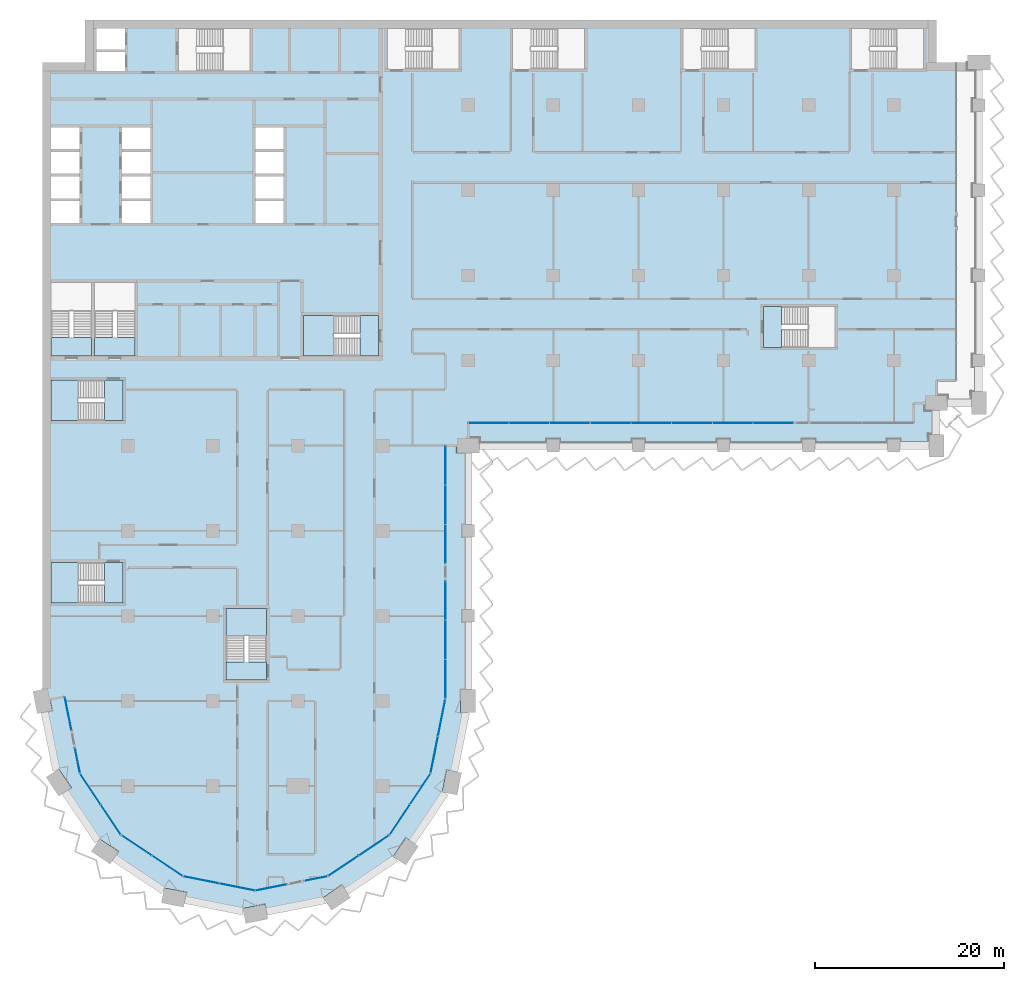
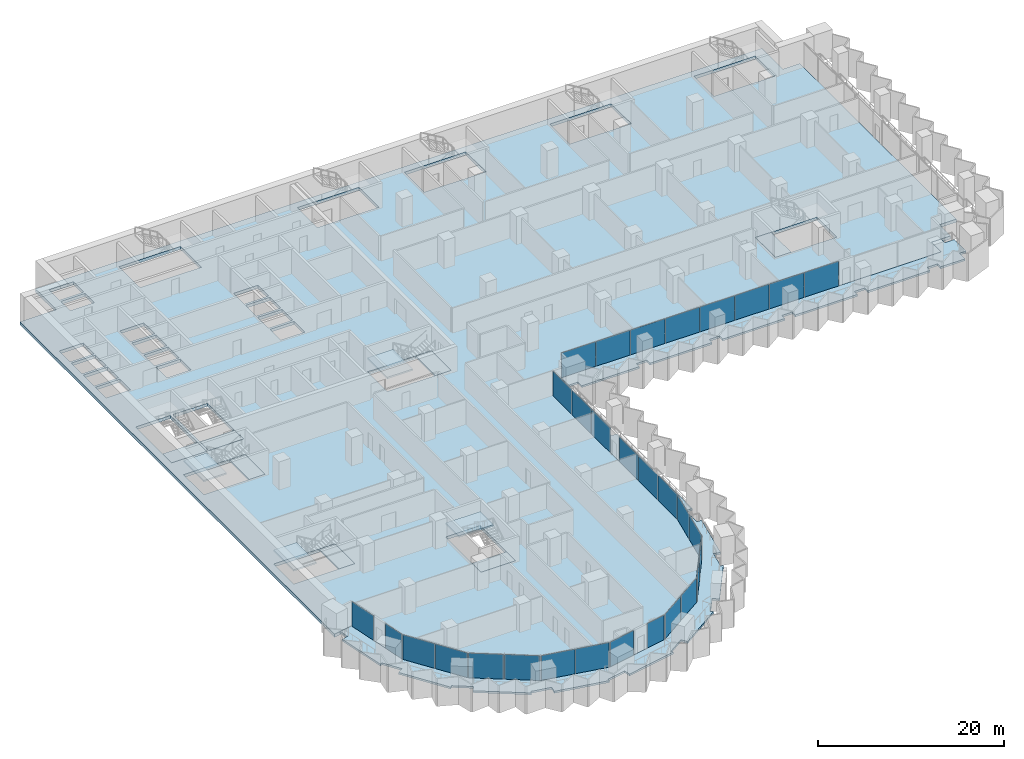
# One storey, part 8 of 28: 30 plates, 14 slabs, 17 elements without a shape of their own.
"""IFC4 building model written with IfcOpenShell, lengths in metres."""

from ifc_helpers import new_model, si_unit, direction, frame, origin, origin_2d, place, context, subcontext, project, spatial, polyline, rectangle, outline, extrude, material, layer, layer_set, type_object, element, aggregate, save


model = new_model("IFC4")

# Units and contexts
model_context = context("Model", 3, precision=1e-05, world=origin(), true_north=direction((0.0, 1.0)))
body_context = subcontext(model_context, "Body", "Model", "MODEL_VIEW")
ifc_project = project(units=[si_unit("LENGTHUNIT", "METRE"), si_unit("AREAUNIT", "SQUARE_METRE"), si_unit("VOLUMEUNIT", "CUBIC_METRE"), si_unit("PLANEANGLEUNIT", "RADIAN"), si_unit("MASSUNIT", "GRAM", prefix="KILO")], contexts=[model_context])

# Site, building, storey
site_placement = place(None, origin())
site = spatial("IfcSite", under=ifc_project, at=site_placement, CompositionType="ELEMENT")
building_placement = place(site_placement, origin())
building = spatial("IfcBuilding", under=site, at=building_placement, Name="Hunhe Ridgeline Campus", CompositionType="ELEMENT")
storey_placement = place(building_placement, frame((0.0, 0.0, 61.699951171875)))
storey = spatial("IfcBuildingStorey", under=building, at=storey_placement, Name="L14", CompositionType="ELEMENT", Elevation=61.699951171875)

# Curtain wall, plate
ifc_material_1 = material(Name="Aluminium 6063", Category="aluminium")
curtain_wall_type_1 = type_object("IfcCurtainWallType", Name="Curtain wall CW-5", PredefinedType="NOTDEFINED", material=ifc_material_1)
curtain_wall_1_placement = place(storey_placement, origin())
curtain_wall_1 = element("IfcCurtainWall", 1, at=curtain_wall_1_placement, inside=storey, type_object=curtain_wall_type_1, Name="Curtain wall 01", PredefinedType="NOTDEFINED")
ifc_material_2 = material(Name="Low-e laminated glass", Category="glass")
ifc_layer_1 = layer(ifc_material_2, 0.028076171875)
ifc_layer_set_1 = layer_set([ifc_layer_1], Name="Curtain wall glass panel 28 low-e laminated")
plate_type = type_object("IfcPlateType", Name="Curtain wall glass panel 28 low-e laminated", PredefinedType="CURTAIN_PANEL", material=ifc_layer_set_1)
plate_1_placement = place(storey_placement, frame((2.7158203125, 25.65380859375, 0.0), z_axis=(0.0, 0.0, 1.0), x_axis=(0.195095326561, -0.980784284924, 0.0)))
plate_1 = element("IfcPlate", 2, at=plate_1_placement, type_object=plate_type, Name="CW-5 panel 1", PredefinedType="CURTAIN_PANEL", context=body_context, shape_type="SweptSolid", body=[
    extrude(rectangle(XDim=3.560791015625, YDim=0.028076171875, at=origin_2d()), origin(), (0.0, 0.0, 1.0), 3.22998046875),
])
aggregate(curtain_wall_1, [plate_1])

curtain_wall_2_placement = place(storey_placement, origin())
curtain_wall_2 = element("IfcCurtainWall", 3, at=curtain_wall_2_placement, inside=storey, type_object=curtain_wall_type_1, Name="Curtain wall 02", PredefinedType="NOTDEFINED")
plate_2_placement = place(storey_placement, frame((3.701171875, 20.699951171875, 0.0), z_axis=(0.0, 0.0, 1.0), x_axis=(0.195095265587, -0.980784297053, 0.0)))
plate_2 = element("IfcPlate", 4, at=plate_2_placement, type_object=plate_type, Name="CW-5 panel 1", PredefinedType="CURTAIN_PANEL", context=body_context, shape_type="SweptSolid", body=[
    extrude(rectangle(XDim=2.660888671875, YDim=0.028076171875, at=origin_2d()), origin(), (0.0, 0.0, 1.0), 3.22998046875),
])
aggregate(curtain_wall_2, [plate_2])

# Curtain wall, plates
curtain_wall_3_placement = place(storey_placement, origin())
curtain_wall_3 = element("IfcCurtainWall", 5, at=curtain_wall_3_placement, inside=storey, type_object=curtain_wall_type_1, Name="Curtain wall 03", PredefinedType="NOTDEFINED")
plate_3_placement = place(storey_placement, frame((5.07080078125, 17.685546875, 0.0), z_axis=(0.0, 0.0, 1.0), x_axis=(0.555570274596, -0.831469584522, 0.0)))
plate_3 = element("IfcPlate", 6, at=plate_3_placement, type_object=plate_type, Name="CW-5 panel 1", PredefinedType="CURTAIN_PANEL", context=body_context, shape_type="SweptSolid", body=[
    extrude(rectangle(XDim=3.806884765625, YDim=0.028076171875, at=origin_2d()), origin(), (0.0, 0.0, 1.0), 3.22998046875),
])
plate_4_placement = place(storey_placement, frame((7.224609375, 14.4619140625, 0.0), z_axis=(0.0, 0.0, 1.0), x_axis=(0.555570274596, -0.831469584522, 0.0)))
plate_4 = element("IfcPlate", 7, at=plate_4_placement, type_object=plate_type, Name="CW-5 panel 2", PredefinedType="CURTAIN_PANEL", context=body_context, shape_type="SweptSolid", body=[
    extrude(rectangle(XDim=3.806884765625, YDim=0.028076171875, at=origin_2d()), origin(), (0.0, 0.0, 1.0), 3.22998046875),
])
aggregate(curtain_wall_3, [plate_3, plate_4])

curtain_wall_4_placement = place(storey_placement, origin())
curtain_wall_4 = element("IfcCurtainWall", 8, at=curtain_wall_4_placement, inside=storey, type_object=curtain_wall_type_1, Name="Curtain wall 04", PredefinedType="NOTDEFINED")
plate_5_placement = place(storey_placement, frame((9.9619140625, 11.724609375, 0.0), z_axis=(0.0, 0.0, 1.0), x_axis=(0.831469584522, -0.555570274596, 0.0)))
plate_5 = element("IfcPlate", 9, at=plate_5_placement, type_object=plate_type, Name="CW-5 panel 1", PredefinedType="CURTAIN_PANEL", context=body_context, shape_type="SweptSolid", body=[
    extrude(rectangle(XDim=3.806884765625, YDim=0.028076171875, at=origin_2d()), origin(), (0.0, 0.0, 1.0), 3.22998046875),
])
plate_6_placement = place(storey_placement, frame((13.185546875, 9.57080078125, 0.0), z_axis=(0.0, 0.0, 1.0), x_axis=(0.831469584522, -0.555570274596, 0.0)))
plate_6 = element("IfcPlate", 10, at=plate_6_placement, type_object=plate_type, Name="CW-5 panel 2", PredefinedType="CURTAIN_PANEL", context=body_context, shape_type="SweptSolid", body=[
    extrude(rectangle(XDim=3.806884765625, YDim=0.028076171875, at=origin_2d()), origin(), (0.0, 0.0, 1.0), 3.22998046875),
])
aggregate(curtain_wall_4, [plate_5, plate_6])

curtain_wall_5_placement = place(storey_placement, origin())
curtain_wall_5 = element("IfcCurtainWall", 11, at=curtain_wall_5_placement, inside=storey, type_object=curtain_wall_type_1, Name="Curtain wall 05", PredefinedType="NOTDEFINED")
plate_7_placement = place(storey_placement, frame((16.761962890625, 8.08935546875, 0.0), z_axis=(0.0, 0.0, 1.0), x_axis=(0.980785275326, -0.195090347539, 0.0)))
plate_7 = element("IfcPlate", 12, at=plate_7_placement, type_object=plate_type, Name="CW-5 panel 1", PredefinedType="CURTAIN_PANEL", context=body_context, shape_type="SweptSolid", body=[
    extrude(rectangle(XDim=3.806884765625, YDim=0.028076171875, at=origin_2d()), origin(), (0.0, 0.0, 1.0), 3.22998046875),
])
plate_8_placement = place(storey_placement, frame((20.564453125, 7.3330078125, 0.0), z_axis=(0.0, 0.0, 1.0), x_axis=(0.980785275326, -0.195090347539, 0.0)))
plate_8 = element("IfcPlate", 13, at=plate_8_placement, type_object=plate_type, Name="CW-5 panel 2", PredefinedType="CURTAIN_PANEL", context=body_context, shape_type="SweptSolid", body=[
    extrude(rectangle(XDim=3.806884765625, YDim=0.028076171875, at=origin_2d()), origin(), (0.0, 0.0, 1.0), 3.22998046875),
])
aggregate(curtain_wall_5, [plate_7, plate_8])

# Curtain wall, plate
curtain_wall_6_placement = place(storey_placement, origin())
curtain_wall_6 = element("IfcCurtainWall", 14, at=curtain_wall_6_placement, inside=storey, type_object=curtain_wall_type_1, Name="Curtain wall 06", PredefinedType="NOTDEFINED")
plate_9_placement = place(storey_placement, frame((24.19775390625, 7.28564453125, 0.0), z_axis=(0.0, 0.0, 1.0), x_axis=(0.980785270791, 0.19509037034, 0.0)))
plate_9 = element("IfcPlate", 15, at=plate_9_placement, type_object=plate_type, Name="CW-5 panel 1", PredefinedType="CURTAIN_PANEL", context=body_context, shape_type="SweptSolid", body=[
    extrude(rectangle(XDim=3.322021484375, YDim=0.028076171875, at=origin_2d()), origin(), (0.0, 0.0, 1.0), 3.22998046875),
])
aggregate(curtain_wall_6, [plate_9])

curtain_wall_7_placement = place(storey_placement, origin())
curtain_wall_7 = element("IfcCurtainWall", 16, at=curtain_wall_7_placement, inside=storey, type_object=curtain_wall_type_1, Name="Curtain wall 07", PredefinedType="NOTDEFINED")
plate_10_placement = place(storey_placement, frame((28.917236328125, 8.224609375, 0.0), z_axis=(0.0, 0.0, 1.0), x_axis=(0.980785242091, 0.195090514627, 0.0)))
plate_10 = element("IfcPlate", 17, at=plate_10_placement, type_object=plate_type, Name="CW-5 panel 1", PredefinedType="CURTAIN_PANEL", context=body_context, shape_type="SweptSolid", body=[
    extrude(rectangle(XDim=2.421875, YDim=0.028076171875, at=origin_2d()), origin(), (0.0, 0.0, 1.0), 3.22998046875),
])
aggregate(curtain_wall_7, [plate_10])

# Curtain wall, plates
curtain_wall_8_placement = place(storey_placement, origin())
curtain_wall_8 = element("IfcCurtainWall", 18, at=curtain_wall_8_placement, inside=storey, type_object=curtain_wall_type_1, Name="Curtain wall 08", PredefinedType="NOTDEFINED")
plate_11_placement = place(storey_placement, frame((31.814453125, 9.57080078125, 0.0), z_axis=(0.0, 0.0, 1.0), x_axis=(0.831469584522, 0.555570274596, 0.0)))
plate_11 = element("IfcPlate", 19, at=plate_11_placement, type_object=plate_type, Name="CW-5 panel 1", PredefinedType="CURTAIN_PANEL", context=body_context, shape_type="SweptSolid", body=[
    extrude(rectangle(XDim=3.806884765625, YDim=0.028076171875, at=origin_2d()), origin(), (0.0, 0.0, 1.0), 3.22998046875),
])
plate_12_placement = place(storey_placement, frame((35.0380859375, 11.724609375, 0.0), z_axis=(0.0, 0.0, 1.0), x_axis=(0.831469584522, 0.555570274596, 0.0)))
plate_12 = element("IfcPlate", 20, at=plate_12_placement, type_object=plate_type, Name="CW-5 panel 2", PredefinedType="CURTAIN_PANEL", context=body_context, shape_type="SweptSolid", body=[
    extrude(rectangle(XDim=3.806884765625, YDim=0.028076171875, at=origin_2d()), origin(), (0.0, 0.0, 1.0), 3.22998046875),
])
aggregate(curtain_wall_8, [plate_11, plate_12])

curtain_wall_9_placement = place(storey_placement, origin())
curtain_wall_9 = element("IfcCurtainWall", 21, at=curtain_wall_9_placement, inside=storey, type_object=curtain_wall_type_1, Name="Curtain wall 09", PredefinedType="NOTDEFINED")
plate_13_placement = place(storey_placement, frame((37.775390625, 14.4619140625, 0.0), z_axis=(0.0, 0.0, 1.0), x_axis=(0.555570274596, 0.831469584522, 0.0)))
plate_13 = element("IfcPlate", 22, at=plate_13_placement, type_object=plate_type, Name="CW-5 panel 1", PredefinedType="CURTAIN_PANEL", context=body_context, shape_type="SweptSolid", body=[
    extrude(rectangle(XDim=3.806884765625, YDim=0.028076171875, at=origin_2d()), origin(), (0.0, 0.0, 1.0), 3.22998046875),
])
plate_14_placement = place(storey_placement, frame((39.92919921875, 17.685546875, 0.0), z_axis=(0.0, 0.0, 1.0), x_axis=(0.555570274596, 0.831469584522, 0.0)))
plate_14 = element("IfcPlate", 23, at=plate_14_placement, type_object=plate_type, Name="CW-5 panel 2", PredefinedType="CURTAIN_PANEL", context=body_context, shape_type="SweptSolid", body=[
    extrude(rectangle(XDim=3.806884765625, YDim=0.028076171875, at=origin_2d()), origin(), (0.0, 0.0, 1.0), 3.22998046875),
])
aggregate(curtain_wall_9, [plate_13, plate_14])

curtain_wall_10_placement = place(storey_placement, origin())
curtain_wall_10 = element("IfcCurtainWall", 24, at=curtain_wall_10_placement, inside=storey, type_object=curtain_wall_type_1, Name="Curtain wall 10", PredefinedType="NOTDEFINED")
plate_15_placement = place(storey_placement, frame((41.42236328125, 21.321044921875, 0.0), z_axis=(0.0, 0.0, 1.0), x_axis=(0.195090299215, 0.980785284939, 0.0)))
plate_15 = element("IfcPlate", 25, at=plate_15_placement, type_object=plate_type, Name="CW-5 panel 1", PredefinedType="CURTAIN_PANEL", context=body_context, shape_type="SweptSolid", body=[
    extrude(rectangle(XDim=3.927490234375, YDim=0.028076171875, at=origin_2d()), origin(), (0.0, 0.0, 1.0), 3.22998046875),
])
plate_16_placement = place(storey_placement, frame((42.2021484375, 25.24169921875, 0.0), z_axis=(0.0, 0.0, 1.0), x_axis=(0.195090299215, 0.980785284939, 0.0)))
plate_16 = element("IfcPlate", 26, at=plate_16_placement, type_object=plate_type, Name="CW-5 panel 2", PredefinedType="CURTAIN_PANEL", context=body_context, shape_type="SweptSolid", body=[
    extrude(rectangle(XDim=3.927490234375, YDim=0.028076171875, at=origin_2d()), origin(), (0.0, 0.0, 1.0), 3.22998046875),
])
aggregate(curtain_wall_10, [plate_15, plate_16])

curtain_wall_type_2 = type_object("IfcCurtainWallType", Name="Curtain wall CW-1", PredefinedType="NOTDEFINED", material=ifc_material_1)
curtain_wall_11_placement = place(storey_placement, origin())
curtain_wall_11 = element("IfcCurtainWall", 27, at=curtain_wall_11_placement, inside=storey, type_object=curtain_wall_type_2, Name="Curtain wall 11", PredefinedType="NOTDEFINED")
plate_17_placement = place(storey_placement, frame((42.59912109375, 29.331787109375, 0.0), z_axis=(0.0, 0.0, 1.0), x_axis=(1.60239e-07, 1.0, 0.0)))
plate_17 = element("IfcPlate", 28, at=plate_17_placement, type_object=plate_type, Name="CW-1 panel 1", PredefinedType="CURTAIN_PANEL", context=body_context, shape_type="SweptSolid", body=[
    extrude(rectangle(XDim=4.070556640625, YDim=0.028076171875, at=origin_2d()), origin(), (0.0, 0.0, 1.0), 3.239990234375),
])
plate_18_placement = place(storey_placement, frame((42.59912109375, 33.477294921875, 0.0), z_axis=(0.0, 0.0, 1.0), x_axis=(1.60239e-07, 1.0, 0.0)))
plate_18 = element("IfcPlate", 29, at=plate_18_placement, type_object=plate_type, Name="CW-1 panel 2", PredefinedType="CURTAIN_PANEL", context=body_context, shape_type="SweptSolid", body=[
    extrude(rectangle(XDim=4.1005859375, YDim=0.028076171875, at=origin_2d()), origin(), (0.0, 0.0, 1.0), 3.239990234375),
])
plate_19_placement = place(storey_placement, frame((42.59912109375, 37.623046875, 0.0), z_axis=(0.0, 0.0, 1.0), x_axis=(1.60239e-07, 1.0, 0.0)))
plate_19 = element("IfcPlate", 30, at=plate_19_placement, type_object=plate_type, Name="CW-1 panel 3", PredefinedType="CURTAIN_PANEL", context=body_context, shape_type="SweptSolid", body=[
    extrude(rectangle(XDim=4.070556640625, YDim=0.028076171875, at=origin_2d()), origin(), (0.0, 0.0, 1.0), 3.239990234375),
])
aggregate(curtain_wall_11, [plate_17, plate_18, plate_19])

curtain_wall_12_placement = place(storey_placement, origin())
curtain_wall_12 = element("IfcCurtainWall", 31, at=curtain_wall_12_placement, inside=storey, type_object=curtain_wall_type_2, Name="Curtain wall 12", PredefinedType="NOTDEFINED")
plate_20_placement = place(storey_placement, frame((42.59912109375, 43.613525390625, 0.0), z_axis=(0.0, 0.0, 1.0), x_axis=(1.60239e-07, 1.0, 0.0)))
plate_20 = element("IfcPlate", 32, at=plate_20_placement, type_object=plate_type, Name="CW-1 panel 1", PredefinedType="CURTAIN_PANEL", context=body_context, shape_type="SweptSolid", body=[
    extrude(rectangle(XDim=4.070556640625, YDim=0.028076171875, at=origin_2d()), origin(), (0.0, 0.0, 1.0), 3.239990234375),
])
plate_21_placement = place(storey_placement, frame((42.59912109375, 47.75927734375, 0.0), z_axis=(0.0, 0.0, 1.0), x_axis=(1.60239e-07, 1.0, 0.0)))
plate_21 = element("IfcPlate", 33, at=plate_21_placement, type_object=plate_type, Name="CW-1 panel 2", PredefinedType="CURTAIN_PANEL", context=body_context, shape_type="SweptSolid", body=[
    extrude(rectangle(XDim=4.1005859375, YDim=0.028076171875, at=origin_2d()), origin(), (0.0, 0.0, 1.0), 3.239990234375),
])
plate_22_placement = place(storey_placement, frame((42.59912109375, 51.90478515625, 0.0), z_axis=(0.0, 0.0, 1.0), x_axis=(1.60239e-07, 1.0, 0.0)))
plate_22 = element("IfcPlate", 34, at=plate_22_placement, type_object=plate_type, Name="CW-1 panel 3", PredefinedType="CURTAIN_PANEL", context=body_context, shape_type="SweptSolid", body=[
    extrude(rectangle(XDim=4.070556640625, YDim=0.028076171875, at=origin_2d()), origin(), (0.0, 0.0, 1.0), 3.239990234375),
])
aggregate(curtain_wall_12, [plate_20, plate_21, plate_22])

curtain_wall_13_placement = place(storey_placement, origin())
curtain_wall_13 = element("IfcCurtainWall", 35, at=curtain_wall_13_placement, inside=storey, type_object=curtain_wall_type_2, Name="Curtain wall 13", PredefinedType="NOTDEFINED")
plate_23_placement = place(storey_placement, frame((47.166015625, 56.40087890625, 0.0), z_axis=(0.0, 0.0, 1.0), x_axis=(0.999999999994, 3.602063e-06, 0.0)))
plate_23 = element("IfcPlate", 36, at=plate_23_placement, type_object=plate_type, Name="CW-1 panel 1", PredefinedType="CURTAIN_PANEL", context=body_context, shape_type="SweptSolid", body=[
    extrude(rectangle(XDim=4.213134765625, YDim=0.028076171875, at=origin_2d()), origin(), (0.0, 0.0, 1.0), 3.239990234375),
])
plate_24_placement = place(storey_placement, frame((51.4541015625, 56.40087890625, 0.0), z_axis=(0.0, 0.0, 1.0), x_axis=(0.999999999994, 3.602063e-06, 0.0)))
plate_24 = element("IfcPlate", 37, at=plate_24_placement, type_object=plate_type, Name="CW-1 panel 2", PredefinedType="CURTAIN_PANEL", context=body_context, shape_type="SweptSolid", body=[
    extrude(rectangle(XDim=4.2431640625, YDim=0.028076171875, at=origin_2d()), origin(), (0.0, 0.0, 1.0), 3.239990234375),
])
plate_25_placement = place(storey_placement, frame((55.757080078125, 56.40087890625, 0.0), z_axis=(0.0, 0.0, 1.0), x_axis=(0.999999999994, 3.602063e-06, 0.0)))
plate_25 = element("IfcPlate", 38, at=plate_25_placement, type_object=plate_type, Name="CW-1 panel 3", PredefinedType="CURTAIN_PANEL", context=body_context, shape_type="SweptSolid", body=[
    extrude(rectangle(XDim=4.2431640625, YDim=0.028076171875, at=origin_2d()), origin(), (0.0, 0.0, 1.0), 3.239990234375),
])
plate_26_placement = place(storey_placement, frame((60.060302734375, 56.40087890625, 0.0), z_axis=(0.0, 0.0, 1.0), x_axis=(0.999999999994, 3.602063e-06, 0.0)))
plate_26 = element("IfcPlate", 39, at=plate_26_placement, type_object=plate_type, Name="CW-1 panel 4", PredefinedType="CURTAIN_PANEL", context=body_context, shape_type="SweptSolid", body=[
    extrude(rectangle(XDim=4.2431640625, YDim=0.028076171875, at=origin_2d()), origin(), (0.0, 0.0, 1.0), 3.239990234375),
])
plate_27_placement = place(storey_placement, frame((64.36328125, 56.40087890625, 0.0), z_axis=(0.0, 0.0, 1.0), x_axis=(0.999999999994, 3.602063e-06, 0.0)))
plate_27 = element("IfcPlate", 40, at=plate_27_placement, type_object=plate_type, Name="CW-1 panel 5", PredefinedType="CURTAIN_PANEL", context=body_context, shape_type="SweptSolid", body=[
    extrude(rectangle(XDim=4.2431640625, YDim=0.028076171875, at=origin_2d()), origin(), (0.0, 0.0, 1.0), 3.239990234375),
])
plate_28_placement = place(storey_placement, frame((68.66650390625, 56.40087890625, 0.0), z_axis=(0.0, 0.0, 1.0), x_axis=(0.999999999994, 3.602063e-06, 0.0)))
plate_28 = element("IfcPlate", 41, at=plate_28_placement, type_object=plate_type, Name="CW-1 panel 6", PredefinedType="CURTAIN_PANEL", context=body_context, shape_type="SweptSolid", body=[
    extrude(rectangle(XDim=4.2431640625, YDim=0.028076171875, at=origin_2d()), origin(), (0.0, 0.0, 1.0), 3.239990234375),
])
plate_29_placement = place(storey_placement, frame((72.969482421875, 56.40087890625, 0.0), z_axis=(0.0, 0.0, 1.0), x_axis=(0.999999999994, 3.602063e-06, 0.0)))
plate_29 = element("IfcPlate", 42, at=plate_29_placement, type_object=plate_type, Name="CW-1 panel 7", PredefinedType="CURTAIN_PANEL", context=body_context, shape_type="SweptSolid", body=[
    extrude(rectangle(XDim=4.2431640625, YDim=0.028076171875, at=origin_2d()), origin(), (0.0, 0.0, 1.0), 3.239990234375),
])
plate_30_placement = place(storey_placement, frame((77.257568359375, 56.40087890625, 0.0), z_axis=(0.0, 0.0, 1.0), x_axis=(0.999999999994, 3.602063e-06, 0.0)))
plate_30 = element("IfcPlate", 43, at=plate_30_placement, type_object=plate_type, Name="CW-1 panel 8", PredefinedType="CURTAIN_PANEL", context=body_context, shape_type="SweptSolid", body=[
    extrude(rectangle(XDim=4.213134765625, YDim=0.028076171875, at=origin_2d()), origin(), (0.0, 0.0, 1.0), 3.239990234375),
])
aggregate(curtain_wall_13, [plate_23, plate_24, plate_25, plate_26, plate_27, plate_28, plate_29, plate_30])

# Slabs
ifc_material_3 = material(Name="Concrete C40", Category="concrete")
ifc_layer_2 = layer(ifc_material_3, 0.39990234375)
ifc_layer_set_2 = layer_set([ifc_layer_2], Name="Floor slab 400 Concrete C40")
slab_type_1 = type_object("IfcSlabType", Name="Floor slab 400 Concrete C40", PredefinedType="FLOOR", material=ifc_layer_set_2)
slab_1_placement = place(storey_placement, frame((0.0, 0.0, -0.39990234375)))
element("IfcSlab", 44, at=slab_1_placement, inside=storey, type_object=slab_type_1, Name="Floor slab L14 1", PredefinedType="FLOOR", context=body_context, shape_type="SweptSolid", body=[
    extrude(outline(polyline([(4.5, 94.5), (0.0, 94.5), (0.0, 27.0009765625), (2.354736328125, 27.46875), (3.974365234375, 19.326416015625), (8.321044921875, 12.821044921875), (14.826416015625, 8.474365234375), (22.5, 6.947998046875), (30.173583984375, 8.474365234375), (36.678955078125, 12.821044921875), (41.025634765625, 19.326416015625), (42.59912109375, 27.236572265625), (42.59912109375, 54.0), (44.9990234375, 54.0009765625), (44.99951171875, 56.40087890625), (92.09912109375, 56.40087890625), (92.099365234375, 58.500732421875), (94.4990234375, 58.5009765625), (94.499267578125, 60.900634765625), (96.59912109375, 60.90087890625), (96.59912109375, 94.5), (94.5, 94.5), (94.5, 99.0), (4.5, 99.0), (4.5, 94.5)]), holes=[polyline([(93.14990234375, 93.800048828125), (93.14990234375, 98.10009765625), (85.550048828125, 98.10009765625), (85.550048828125, 93.800048828125), (93.14990234375, 93.800048828125)]), polyline([(76.199951171875, 68.699951171875), (76.199951171875, 64.39990234375), (83.800048828125, 64.39990234375), (83.800048828125, 68.699951171875), (76.199951171875, 68.699951171875)]), polyline([(75.300048828125, 98.10009765625), (67.699951171875, 98.10009765625), (67.699951171875, 93.800048828125), (75.300048828125, 93.800048828125), (75.300048828125, 98.10009765625)]), polyline([(49.699951171875, 98.10009765625), (49.699951171875, 93.800048828125), (57.300048828125, 93.800048828125), (57.300048828125, 98.10009765625), (49.699951171875, 98.10009765625)]), polyline([(36.449951171875, 93.800048828125), (44.050048828125, 93.800048828125), (44.050048828125, 98.10009765625), (36.449951171875, 98.10009765625), (36.449951171875, 93.800048828125)]), polyline([(35.5, 63.5), (35.5, 67.75), (27.60009765625, 67.75), (27.60009765625, 63.5), (35.5, 63.5)]), polyline([(25.5, 80.14990234375), (25.5, 82.449951171875), (22.5, 82.449951171875), (22.5, 80.14990234375), (25.5, 80.14990234375)]), polyline([(25.5, 79.85009765625), (22.5, 79.85009765625), (22.5, 77.550048828125), (25.5, 77.550048828125), (25.5, 79.85009765625)]), polyline([(22.5, 87.64990234375), (22.5, 85.35009765625), (25.5, 85.35009765625), (25.5, 87.64990234375), (22.5, 87.64990234375)]), polyline([(22.5, 82.75), (25.5, 82.75), (25.5, 85.050048828125), (22.5, 85.050048828125), (22.5, 82.75)]), polyline([(23.699951171875, 29.199951171875), (23.699951171875, 36.800048828125), (19.39990234375, 36.800048828125), (19.39990234375, 29.199951171875), (23.699951171875, 29.199951171875)]), polyline([(14.35009765625, 93.60009765625), (21.949951171875, 93.60009765625), (21.949951171875, 98.10009765625), (14.35009765625, 98.10009765625), (14.35009765625, 93.60009765625)]), polyline([(11.39990234375, 79.85009765625), (8.39990234375, 79.85009765625), (8.39990234375, 77.550048828125), (11.39990234375, 77.550048828125), (11.39990234375, 79.85009765625)]), polyline([(11.39990234375, 80.14990234375), (11.39990234375, 82.449951171875), (8.39990234375, 82.449951171875), (8.39990234375, 80.14990234375), (11.39990234375, 80.14990234375)]), polyline([(8.39990234375, 87.64990234375), (8.39990234375, 85.35009765625), (11.39990234375, 85.35009765625), (11.39990234375, 87.64990234375), (8.39990234375, 87.64990234375)]), polyline([(8.39990234375, 82.75), (11.39990234375, 82.75), (11.39990234375, 85.050048828125), (8.39990234375, 85.050048828125), (8.39990234375, 82.75)]), polyline([(9.800048828125, 71.25), (5.5, 71.25), (5.5, 63.5), (9.800048828125, 63.5), (9.800048828125, 71.25)]), polyline([(8.699951171875, 95.89990234375), (8.699951171875, 98.10009765625), (5.699951171875, 98.10009765625), (5.699951171875, 95.89990234375), (8.699951171875, 95.89990234375)]), polyline([(8.699951171875, 95.60009765625), (5.699951171875, 95.60009765625), (5.699951171875, 93.60009765625), (8.699951171875, 93.60009765625), (8.699951171875, 95.60009765625)]), polyline([(0.89990234375, 37.35009765625), (8.5, 37.35009765625), (8.5, 41.64990234375), (0.89990234375, 41.64990234375), (0.89990234375, 37.35009765625)]), polyline([(0.89990234375, 60.949951171875), (0.89990234375, 56.64990234375), (8.5, 56.64990234375), (8.5, 60.949951171875), (0.89990234375, 60.949951171875)]), polyline([(0.89990234375, 71.25), (0.89990234375, 63.5), (5.199951171875, 63.5), (5.199951171875, 71.25), (0.89990234375, 71.25)]), polyline([(3.89990234375, 80.14990234375), (3.89990234375, 82.449951171875), (0.89990234375, 82.449951171875), (0.89990234375, 80.14990234375), (3.89990234375, 80.14990234375)]), polyline([(3.89990234375, 79.85009765625), (0.89990234375, 79.85009765625), (0.89990234375, 77.550048828125), (3.89990234375, 77.550048828125), (3.89990234375, 79.85009765625)]), polyline([(0.89990234375, 87.64990234375), (0.89990234375, 85.35009765625), (3.89990234375, 85.35009765625), (3.89990234375, 87.64990234375), (0.89990234375, 87.64990234375)]), polyline([(0.89990234375, 82.75), (3.89990234375, 82.75), (3.89990234375, 85.050048828125), (0.89990234375, 85.050048828125), (0.89990234375, 82.75)])]), origin(), (0.0, 0.0, 1.0), 0.39990234375),
])
ifc_layer_3 = layer(ifc_material_3, 0.25)
ifc_layer_set_3 = layer_set([ifc_layer_3], Name="Loggia slab 250 Concrete C40")
slab_type_2 = type_object("IfcSlabType", Name="Loggia slab 250 Concrete C40", PredefinedType="FLOOR", material=ifc_layer_set_3)
slab_2_placement = place(storey_placement, frame((0.0, 0.0, -0.25)))
element("IfcSlab", 45, at=slab_2_placement, inside=storey, type_object=slab_type_2, Name="Loggia slab 1", PredefinedType="FLOOR", context=body_context, shape_type="SweptSolid", body=[
    extrude(outline(polyline([(30.173828125, 8.473388671875), (22.5, 6.947021484375), (14.826171875, 8.473388671875), (8.3203125, 12.8203125), (3.973388671875, 19.326171875), (2.35400390625, 27.46826171875), (0.78466796875, 27.156005859375), (1.018798828125, 25.979248046875), (0.234130859375, 25.822998046875), (1.459228515625, 19.66357421875), (1.711181640625, 19.831787109375), (3.044677734375, 17.83642578125), (2.37939453125, 17.391845703125), (5.868408203125, 12.170166015625), (6.036865234375, 12.421875), (8.0322265625, 11.088623046875), (7.587890625, 10.42333984375), (12.8095703125, 6.934326171875), (12.86865234375, 7.2314453125), (15.22265625, 6.76318359375), (15.066650390625, 5.978515625), (21.22607421875, 4.75341796875), (21.1669921875, 5.050537109375), (23.520751953125, 5.518798828125), (23.677001953125, 4.734130859375), (29.83642578125, 5.959228515625), (29.668212890625, 6.211181640625), (31.66357421875, 7.544677734375), (32.108154296875, 6.87939453125), (37.329833984375, 10.368408203125), (37.078125, 10.536865234375), (38.411376953125, 12.5322265625), (39.07666015625, 12.087890625), (42.565673828125, 17.3095703125), (42.2685546875, 17.36865234375), (42.73681640625, 19.72265625), (43.521484375, 19.566650390625), (44.76123046875, 25.800048828125), (44.199951171875, 25.800048828125), (44.199951171875, 28.199951171875), (45.0, 28.199951171875), (45.0, 35.35009765625), (44.35009765625, 35.35009765625), (44.35009765625, 36.64990234375), (45.0, 36.64990234375), (45.0, 44.35009765625), (44.35009765625, 44.35009765625), (44.35009765625, 45.64990234375), (45.0, 45.64990234375), (45.0, 53.199951171875), (43.800048828125, 53.199951171875), (43.800048828125, 54.0), (42.60009765625, 54.0), (42.60009765625, 27.236328125), (41.026611328125, 19.326171875), (36.6796875, 12.8203125), (30.173828125, 8.473388671875)])), origin(), (0.0, 0.0, 1.0), 0.25),
])
slab_3_placement = place(storey_placement, frame((0.0, 0.0, -0.25)))
element("IfcSlab", 46, at=slab_3_placement, inside=storey, type_object=slab_type_2, Name="Loggia slab 2", PredefinedType="FLOOR", context=body_context, shape_type="SweptSolid", body=[
    extrude(outline(polyline([(45.0, 54.800048828125), (46.199951171875, 54.800048828125), (46.199951171875, 54.0), (53.35009765625, 54.0), (53.35009765625, 54.64990234375), (54.64990234375, 54.64990234375), (54.64990234375, 54.0), (62.35009765625, 54.0), (62.35009765625, 54.64990234375), (63.64990234375, 54.64990234375), (63.64990234375, 54.0), (71.35009765625, 54.0), (71.35009765625, 54.64990234375), (72.64990234375, 54.64990234375), (72.64990234375, 54.0), (80.35009765625, 54.0), (80.35009765625, 54.64990234375), (81.64990234375, 54.64990234375), (81.64990234375, 54.0), (89.35009765625, 54.0), (89.35009765625, 54.64990234375), (90.64990234375, 54.64990234375), (90.64990234375, 54.0), (93.699951171875, 54.0), (93.699951171875, 55.199951171875), (94.5, 55.199951171875), (94.5, 57.699951171875), (93.300048828125, 57.699951171875), (93.300048828125, 58.5), (92.10009765625, 58.5), (92.10009765625, 56.39990234375), (45.0, 56.39990234375), (45.0, 54.800048828125)])), origin(), (0.0, 0.0, 1.0), 0.25),
])

# Stair, slab
stair_type = type_object("IfcStairType", Name="Reinforced concrete dog-leg stair 1950 Concrete C40", PredefinedType="HALF_TURN_STAIR", material=ifc_material_3)
stair_1_placement = place(storey_placement, origin())
stair_1 = element("IfcStair", 47, at=stair_1_placement, inside=storey, type_object=stair_type, Name="L14 S2", PredefinedType="HALF_TURN_STAIR")
ifc_layer_4 = layer(ifc_material_3, 0.199951171875)
ifc_layer_set_4 = layer_set([ifc_layer_4], Name="Reinforced concrete stair landing 200 Concrete C40")
slab_type_3 = type_object("IfcSlabType", Name="Reinforced concrete stair landing 200 Concrete C40", PredefinedType="LANDING", material=ifc_layer_set_4)
slab_4_placement = place(storey_placement, frame((0.0, 0.0, 1.650146484375)))
slab_4 = element("IfcSlab", 48, at=slab_4_placement, type_object=slab_type_3, Name="ST2 landing 1", PredefinedType="LANDING", context=body_context, shape_type="SweptSolid", body=[
    extrude(outline(polyline([(30.75, 67.75), (27.60009765625, 67.75), (27.60009765625, 63.5), (30.75, 63.5), (30.75, 67.75)])), origin(), (0.0, 0.0, 1.0), 0.199951171875),
])
aggregate(stair_1, [slab_4])

# Slabs
slab_5_placement = place(storey_placement, frame((0.0, 0.0, -0.199951171875)))
element("IfcSlab", 49, at=slab_5_placement, inside=storey, type_object=slab_type_3, Name="L14 stair S2 floor landing", PredefinedType="LANDING", context=body_context, shape_type="SweptSolid", body=[
    extrude(outline(polyline([(35.5, 67.75), (33.550048828125, 67.75), (33.550048828125, 63.5), (35.5, 63.5), (35.5, 67.75)])), origin(), (0.0, 0.0, 1.0), 0.199951171875),
])
slab_6_placement = place(storey_placement, frame((0.0, 0.0, -0.199951171875)))
element("IfcSlab", 50, at=slab_6_placement, inside=storey, type_object=slab_type_3, Name="L14 stair S3 floor landing", PredefinedType="LANDING", context=body_context, shape_type="SweptSolid", body=[
    extrude(outline(polyline([(5.199951171875, 63.5), (5.199951171875, 65.449951171875), (0.89990234375, 65.449951171875), (0.89990234375, 63.5), (5.199951171875, 63.5)])), origin(), (0.0, 0.0, 1.0), 0.199951171875),
])
slab_7_placement = place(storey_placement, frame((0.0, 0.0, -0.199951171875)))
element("IfcSlab", 51, at=slab_7_placement, inside=storey, type_object=slab_type_3, Name="L14 stair S4 floor landing", PredefinedType="LANDING", context=body_context, shape_type="SweptSolid", body=[
    extrude(outline(polyline([(9.800048828125, 63.5), (9.800048828125, 65.449951171875), (5.5, 65.449951171875), (5.5, 63.5), (9.800048828125, 63.5)])), origin(), (0.0, 0.0, 1.0), 0.199951171875),
])

# Stair, slab
stair_2_placement = place(storey_placement, origin())
stair_2 = element("IfcStair", 52, at=stair_2_placement, inside=storey, type_object=stair_type, Name="L14 W3", PredefinedType="HALF_TURN_STAIR")
slab_8_placement = place(storey_placement, frame((0.0, 0.0, 1.650146484375)))
slab_8 = element("IfcSlab", 53, at=slab_8_placement, type_object=slab_type_3, Name="ST9 landing 1", PredefinedType="LANDING", context=body_context, shape_type="SweptSolid", body=[
    extrude(outline(polyline([(23.699951171875, 33.949951171875), (23.699951171875, 36.800048828125), (19.39990234375, 36.800048828125), (19.39990234375, 33.949951171875), (23.699951171875, 33.949951171875)])), origin(), (0.0, 0.0, 1.0), 0.199951171875),
])
aggregate(stair_2, [slab_8])

# Slabs
slab_9_placement = place(storey_placement, frame((0.0, 0.0, -0.199951171875)))
element("IfcSlab", 54, at=slab_9_placement, inside=storey, type_object=slab_type_3, Name="L14 stair W3 floor landing", PredefinedType="LANDING", context=body_context, shape_type="SweptSolid", body=[
    extrude(outline(polyline([(23.699951171875, 29.199951171875), (23.699951171875, 31.14990234375), (19.39990234375, 31.14990234375), (19.39990234375, 29.199951171875), (23.699951171875, 29.199951171875)])), origin(), (0.0, 0.0, 1.0), 0.199951171875),
])
slab_10_placement = place(storey_placement, frame((0.0, 0.0, -0.199951171875)))
element("IfcSlab", 55, at=slab_10_placement, inside=storey, type_object=slab_type_3, Name="L14 stair E5 floor landing", PredefinedType="LANDING", context=body_context, shape_type="SweptSolid", body=[
    extrude(outline(polyline([(76.199951171875, 64.39990234375), (78.14990234375, 64.39990234375), (78.14990234375, 68.699951171875), (76.199951171875, 68.699951171875), (76.199951171875, 64.39990234375)])), origin(), (0.0, 0.0, 1.0), 0.199951171875),
])

# Stair, slab
stair_3_placement = place(storey_placement, origin())
stair_3 = element("IfcStair", 56, at=stair_3_placement, inside=storey, type_object=stair_type, Name="L14 W1", PredefinedType="HALF_TURN_STAIR")
slab_11_placement = place(storey_placement, frame((0.0, 0.0, 1.650146484375)))
slab_11 = element("IfcSlab", 57, at=slab_11_placement, type_object=slab_type_3, Name="ST11 landing 1", PredefinedType="LANDING", context=body_context, shape_type="SweptSolid", body=[
    extrude(outline(polyline([(3.75, 41.64990234375), (0.89990234375, 41.64990234375), (0.89990234375, 37.35009765625), (3.75, 37.35009765625), (3.75, 41.64990234375)])), origin(), (0.0, 0.0, 1.0), 0.199951171875),
])
aggregate(stair_3, [slab_11])

# Slab
slab_12_placement = place(storey_placement, frame((0.0, 0.0, -0.199951171875)))
element("IfcSlab", 58, at=slab_12_placement, inside=storey, type_object=slab_type_3, Name="L14 stair W1 floor landing", PredefinedType="LANDING", context=body_context, shape_type="SweptSolid", body=[
    extrude(outline(polyline([(8.5, 41.64990234375), (6.550048828125, 41.64990234375), (6.550048828125, 37.35009765625), (8.5, 37.35009765625), (8.5, 41.64990234375)])), origin(), (0.0, 0.0, 1.0), 0.199951171875),
])

# Stair, slab
stair_4_placement = place(storey_placement, origin())
stair_4 = element("IfcStair", 59, at=stair_4_placement, inside=storey, type_object=stair_type, Name="L14 W2", PredefinedType="HALF_TURN_STAIR")
slab_13_placement = place(storey_placement, frame((0.0, 0.0, 1.650146484375)))
slab_13 = element("IfcSlab", 60, at=slab_13_placement, type_object=slab_type_3, Name="ST12 landing 1", PredefinedType="LANDING", context=body_context, shape_type="SweptSolid", body=[
    extrude(outline(polyline([(3.75, 60.949951171875), (0.89990234375, 60.949951171875), (0.89990234375, 56.64990234375), (3.75, 56.64990234375), (3.75, 60.949951171875)])), origin(), (0.0, 0.0, 1.0), 0.199951171875),
])
aggregate(stair_4, [slab_13])

# Slab
slab_14_placement = place(storey_placement, frame((0.0, 0.0, -0.199951171875)))
element("IfcSlab", 61, at=slab_14_placement, inside=storey, type_object=slab_type_3, Name="L14 stair W2 floor landing", PredefinedType="LANDING", context=body_context, shape_type="SweptSolid", body=[
    extrude(outline(polyline([(8.5, 60.949951171875), (6.550048828125, 60.949951171875), (6.550048828125, 56.64990234375), (8.5, 56.64990234375), (8.5, 60.949951171875)])), origin(), (0.0, 0.0, 1.0), 0.199951171875),
])

save(model, "model.ifc")
